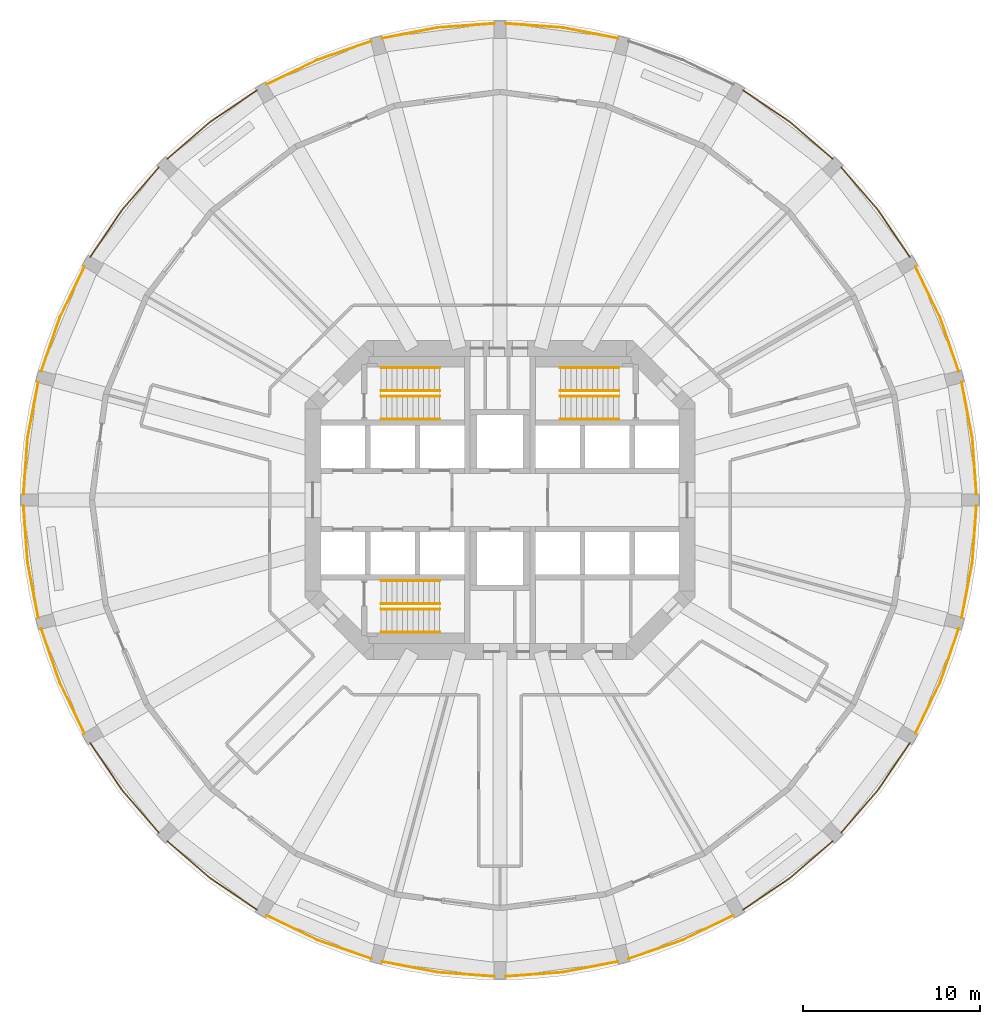
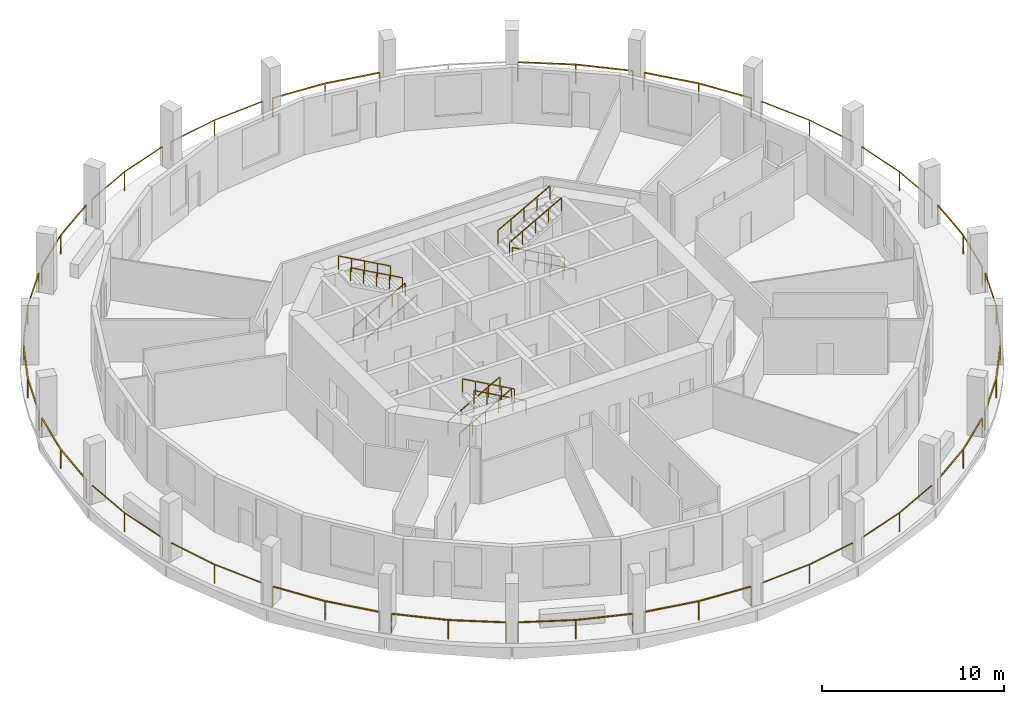
# One storey, part 8 of 9: 35 railings.
"""IFC4 building model written with IfcOpenShell, lengths in metres."""

from ifc_helpers import new_model, si_unit, direction, frame, origin, origin_2d, place, context, subcontext, project, spatial, rectangle, extrude, material, type_object, element, save


model = new_model("IFC4")

# Units and contexts
model_context = context("Model", 3, precision=1e-05, world=origin(), true_north=direction((0.0, 1.0)))
body_context = subcontext(model_context, "Body", "Model", "MODEL_VIEW")
ifc_project = project(units=[si_unit("LENGTHUNIT", "METRE"), si_unit("AREAUNIT", "SQUARE_METRE"), si_unit("VOLUMEUNIT", "CUBIC_METRE"), si_unit("PLANEANGLEUNIT", "RADIAN"), si_unit("MASSUNIT", "GRAM", prefix="KILO")], contexts=[model_context])

# Site, building, storey
site_placement = place(None, origin())
site = spatial("IfcSite", under=ifc_project, at=site_placement, CompositionType="ELEMENT")
building_placement = place(site_placement, origin())
building = spatial("IfcBuilding", under=site, at=building_placement, Name="Torre Triforio", CompositionType="ELEMENT")
storey_placement = place(building_placement, frame((0.0, 0.0, 39.0)))
storey = spatial("IfcBuildingStorey", under=building, at=storey_placement, Name="L07", CompositionType="ELEMENT", Elevation=39.0)

# Railings
ifc_material = material(Name="Stainless steel AISI 316", Category="steel")
railing_type_1 = type_object("IfcRailingType", Name="HANDRAIL 920", PredefinedType="HANDRAIL", material=ifc_material)
for number, where, name in (
    (1, (-6.699951171875, 4.550048828125, 0.166748046875), "Handrail ST1"),
    (2, (-6.699951171875, 5.85009765625, 0.166748046875), "Handrail ST1"),
):
    element("IfcRailing", number, at=place(storey_placement, frame(where)), inside=storey, type_object=railing_type_1, Name=name, PredefinedType="HANDRAIL", context=body_context, shape_type="SweptSolid", body=[
        extrude(rectangle(XDim=0.048095703125, YDim=0.048095703125, at=origin_2d()), frame((0.0, 0.0, 0.89599609375), z_axis=(0.874169478083, 0.0, 0.485620966999), x_axis=(0.0, 1.0, 0.0)), (0.0, 0.0, 1.0), 3.775146484375),
        extrude(rectangle(XDim=0.0419921875, YDim=0.0419921875, at=origin_2d()), origin(), (0.0, 0.0, 1.0), 0.871826171875),
        extrude(rectangle(XDim=0.0419921875, YDim=0.0419921875, at=origin_2d()), frame((0.824951171875, 0.0, 0.458251953125)), (0.0, 0.0, 1.0), 0.871826171875),
        extrude(rectangle(XDim=0.0419921875, YDim=0.0419921875, at=origin_2d()), frame((1.64990234375, 0.0, 0.91650390625)), (0.0, 0.0, 1.0), 0.871826171875),
        extrude(rectangle(XDim=0.0419921875, YDim=0.0419921875, at=origin_2d()), frame((2.47509765625, 0.0, 1.375)), (0.0, 0.0, 1.0), 0.871826171875),
        extrude(rectangle(XDim=0.0419921875, YDim=0.0419921875, at=origin_2d()), frame((3.300048828125, 0.0, 1.833251953125)), (0.0, 0.0, 1.0), 0.871826171875),
    ])
for number, where, name in (
    (3, (-3.39990234375, 7.449951171875, 2.166748046875), "Handrail ST1"),
    (4, (-3.39990234375, 6.14990234375, 2.166748046875), "Handrail ST1"),
    (5, (6.699951171875, 4.550048828125, 0.166748046875), "Handrail ST2"),
    (6, (6.699951171875, 5.85009765625, 0.166748046875), "Handrail ST2"),
):
    element("IfcRailing", number, at=place(storey_placement, frame(where)), inside=storey, type_object=railing_type_1, Name=name, PredefinedType="HANDRAIL", context=body_context, shape_type="SweptSolid", body=[
        extrude(rectangle(XDim=0.048095703125, YDim=0.048095703125, at=origin_2d()), frame((0.0, 0.0, 0.89599609375), z_axis=(-0.874169478083, 0.0, 0.485620966999), x_axis=(0.0, -1.0, 0.0)), (0.0, 0.0, 1.0), 3.775146484375),
        extrude(rectangle(XDim=0.0419921875, YDim=0.0419921875, at=origin_2d()), origin(), (0.0, 0.0, 1.0), 0.871826171875),
        extrude(rectangle(XDim=0.0419921875, YDim=0.0419921875, at=origin_2d()), frame((-0.824951171875, 0.0, 0.458251953125)), (0.0, 0.0, 1.0), 0.871826171875),
        extrude(rectangle(XDim=0.0419921875, YDim=0.0419921875, at=origin_2d()), frame((-1.64990234375, 0.0, 0.91650390625)), (0.0, 0.0, 1.0), 0.871826171875),
        extrude(rectangle(XDim=0.0419921875, YDim=0.0419921875, at=origin_2d()), frame((-2.47509765625, 0.0, 1.375)), (0.0, 0.0, 1.0), 0.871826171875),
        extrude(rectangle(XDim=0.0419921875, YDim=0.0419921875, at=origin_2d()), frame((-3.300048828125, 0.0, 1.833251953125)), (0.0, 0.0, 1.0), 0.871826171875),
    ])
for number, where, name in (
    (7, (3.39990234375, 7.449951171875, 2.166748046875), "Handrail ST2"),
    (8, (3.39990234375, 6.14990234375, 2.166748046875), "Handrail ST2"),
    (9, (-6.699951171875, -4.550048828125, 0.166748046875), "Handrail ST3"),
    (10, (-6.699951171875, -5.85009765625, 0.166748046875), "Handrail ST3"),
):
    element("IfcRailing", number, at=place(storey_placement, frame(where)), inside=storey, type_object=railing_type_1, Name=name, PredefinedType="HANDRAIL", context=body_context, shape_type="SweptSolid", body=[
        extrude(rectangle(XDim=0.048095703125, YDim=0.048095703125, at=origin_2d()), frame((0.0, 0.0, 0.89599609375), z_axis=(0.874169478083, 0.0, 0.485620966999), x_axis=(0.0, 1.0, 0.0)), (0.0, 0.0, 1.0), 3.775146484375),
        extrude(rectangle(XDim=0.0419921875, YDim=0.0419921875, at=origin_2d()), origin(), (0.0, 0.0, 1.0), 0.871826171875),
        extrude(rectangle(XDim=0.0419921875, YDim=0.0419921875, at=origin_2d()), frame((0.824951171875, 0.0, 0.458251953125)), (0.0, 0.0, 1.0), 0.871826171875),
        extrude(rectangle(XDim=0.0419921875, YDim=0.0419921875, at=origin_2d()), frame((1.64990234375, 0.0, 0.91650390625)), (0.0, 0.0, 1.0), 0.871826171875),
        extrude(rectangle(XDim=0.0419921875, YDim=0.0419921875, at=origin_2d()), frame((2.47509765625, 0.0, 1.375)), (0.0, 0.0, 1.0), 0.871826171875),
        extrude(rectangle(XDim=0.0419921875, YDim=0.0419921875, at=origin_2d()), frame((3.300048828125, 0.0, 1.833251953125)), (0.0, 0.0, 1.0), 0.871826171875),
    ])
for number, where, name in (
    (11, (-3.39990234375, -7.449951171875, 2.166748046875), "Handrail ST3"),
    (12, (-3.39990234375, -6.14990234375, 2.166748046875), "Handrail ST3"),
):
    element("IfcRailing", number, at=place(storey_placement, frame(where)), inside=storey, type_object=railing_type_1, Name=name, PredefinedType="HANDRAIL", context=body_context, shape_type="SweptSolid", body=[
        extrude(rectangle(XDim=0.048095703125, YDim=0.048095703125, at=origin_2d()), frame((0.0, 0.0, 0.89599609375), z_axis=(-0.874169478083, 0.0, 0.485620966999), x_axis=(0.0, -1.0, 0.0)), (0.0, 0.0, 1.0), 3.775146484375),
        extrude(rectangle(XDim=0.0419921875, YDim=0.0419921875, at=origin_2d()), origin(), (0.0, 0.0, 1.0), 0.871826171875),
        extrude(rectangle(XDim=0.0419921875, YDim=0.0419921875, at=origin_2d()), frame((-0.824951171875, 0.0, 0.458251953125)), (0.0, 0.0, 1.0), 0.871826171875),
        extrude(rectangle(XDim=0.0419921875, YDim=0.0419921875, at=origin_2d()), frame((-1.64990234375, 0.0, 0.91650390625)), (0.0, 0.0, 1.0), 0.871826171875),
        extrude(rectangle(XDim=0.0419921875, YDim=0.0419921875, at=origin_2d()), frame((-2.47509765625, 0.0, 1.375)), (0.0, 0.0, 1.0), 0.871826171875),
        extrude(rectangle(XDim=0.0419921875, YDim=0.0419921875, at=origin_2d()), frame((-3.300048828125, 0.0, 1.833251953125)), (0.0, 0.0, 1.0), 0.871826171875),
    ])
railing_type_2 = type_object("IfcRailingType", Name="Loggia guard 1300", PredefinedType="GUARDRAIL", material=ifc_material)
railing_1_placement = place(storey_placement, frame((26.85009765625, 0.320068359375, 0.0)))
element("IfcRailing", 13, at=railing_1_placement, inside=storey, type_object=railing_type_2, Name="Loggia guard L07 bay 01", PredefinedType="GUARDRAIL", context=body_context, shape_type="SweptSolid", body=[
    extrude(rectangle(XDim=0.050048828125, YDim=0.050048828125, at=origin_2d()), frame((0.0, 0.0, 1.27490234375), z_axis=(-0.071953458998, 0.997407990613, 0.0), x_axis=(-0.997407990613, -0.071953458998, 0.0)), (0.0, 0.0, 1.0), 3.19287109375),
    extrude(rectangle(XDim=0.050048828125, YDim=0.050048828125, at=origin_2d()), frame((-0.229736328125, 3.1845703125, 1.27490234375), z_axis=(-0.188714097365, 0.982032071501, 0.0), x_axis=(-0.982032071501, -0.188714097365, 0.0)), (0.0, 0.0, 1.0), 3.19287109375),
    extrude(rectangle(XDim=0.0400390625, YDim=0.0400390625, at=origin_2d()), origin(), (0.0, 0.0, 1.0), 1.25),
    extrude(rectangle(XDim=0.0400390625, YDim=0.0400390625, at=origin_2d()), frame((-0.229736328125, 3.1845703125, 0.0)), (0.0, 0.0, 1.0), 1.25),
    extrude(rectangle(XDim=0.0400390625, YDim=0.0400390625, at=origin_2d()), frame((-0.832275390625, 6.320068359375, 0.0)), (0.0, 0.0, 1.0), 1.25),
])
railing_2_placement = place(storey_placement, frame((25.852294921875, 7.25830078125, 0.0)))
element("IfcRailing", 14, at=railing_2_placement, inside=storey, type_object=railing_type_2, Name="Loggia guard L07 bay 02", PredefinedType="GUARDRAIL", context=body_context, shape_type="SweptSolid", body=[
    extrude(rectangle(XDim=0.050048828125, YDim=0.050048828125, at=origin_2d()), frame((0.0, 0.0, 1.27490234375), z_axis=(-0.327627852034, 0.94480685358, 0.0), x_axis=(-0.94480685358, -0.327627852034, 0.0)), (0.0, 0.0, 1.0), 3.193115234375),
    extrude(rectangle(XDim=0.050048828125, YDim=0.050048828125, at=origin_2d()), frame((-1.046142578125, 3.016845703125, 1.27490234375), z_axis=(-0.436384192305, 0.899760432952, 0.0), x_axis=(-0.899760432952, -0.436384192305, 0.0)), (0.0, 0.0, 1.0), 3.19287109375),
    extrude(rectangle(XDim=0.0400390625, YDim=0.0400390625, at=origin_2d()), origin(), (0.0, 0.0, 1.0), 1.25),
    extrude(rectangle(XDim=0.0400390625, YDim=0.0400390625, at=origin_2d()), frame((-1.046142578125, 3.016845703125, 0.0)), (0.0, 0.0, 1.0), 1.25),
    extrude(rectangle(XDim=0.0400390625, YDim=0.0400390625, at=origin_2d()), frame((-2.439453125, 5.8896484375, 0.0)), (0.0, 0.0, 1.0), 1.25),
])
railing_3_placement = place(storey_placement, frame((23.0927734375, 13.7021484375, 0.0)))
element("IfcRailing", 15, at=railing_3_placement, inside=storey, type_object=railing_type_2, Name="Loggia guard L07 bay 03", PredefinedType="GUARDRAIL", context=body_context, shape_type="SweptSolid", body=[
    extrude(rectangle(XDim=0.050048828125, YDim=0.050048828125, at=origin_2d()), frame((0.0, 0.0, 1.27490234375), z_axis=(-0.561018896338, 0.82780299465, 0.0), x_axis=(-0.82780299465, -0.561018896338, 0.0)), (0.0, 0.0, 1.0), 3.19287109375),
    extrude(rectangle(XDim=0.050048828125, YDim=0.050048828125, at=origin_2d()), frame((-1.791259765625, 2.64306640625, 1.27490234375), z_axis=(-0.654385993255, 0.756160678581, 0.0), x_axis=(-0.756160678581, -0.654385993255, 0.0)), (0.0, 0.0, 1.0), 3.19287109375),
    extrude(rectangle(XDim=0.0400390625, YDim=0.0400390625, at=origin_2d()), origin(), (0.0, 0.0, 1.0), 1.25),
    extrude(rectangle(XDim=0.0400390625, YDim=0.0400390625, at=origin_2d()), frame((-1.791259765625, 2.64306640625, 0.0)), (0.0, 0.0, 1.0), 1.25),
    extrude(rectangle(XDim=0.0400390625, YDim=0.0400390625, at=origin_2d()), frame((-3.880615234375, 5.057373046875, 0.0)), (0.0, 0.0, 1.0), 1.25),
])
railing_4_placement = place(storey_placement, frame((18.759521484375, 19.212158203125, 0.0)))
element("IfcRailing", 16, at=railing_4_placement, inside=storey, type_object=railing_type_2, Name="Loggia guard L07 bay 04", PredefinedType="GUARDRAIL", context=body_context, shape_type="SweptSolid", body=[
    extrude(rectangle(XDim=0.050048828125, YDim=0.050048828125, at=origin_2d()), frame((0.0, 0.0, 1.27490234375), z_axis=(-0.756160678581, 0.654385993255, 0.0), x_axis=(-0.654385993255, -0.756160678581, 0.0)), (0.0, 0.0, 1.0), 3.19287109375),
    extrude(rectangle(XDim=0.050048828125, YDim=0.050048828125, at=origin_2d()), frame((-2.414306640625, 2.08935546875, 1.27490234375), z_axis=(-0.82780299465, 0.561018896338, 0.0), x_axis=(-0.561018896338, -0.82780299465, 0.0)), (0.0, 0.0, 1.0), 3.19287109375),
    extrude(rectangle(XDim=0.0400390625, YDim=0.0400390625, at=origin_2d()), origin(), (0.0, 0.0, 1.0), 1.25),
    extrude(rectangle(XDim=0.0400390625, YDim=0.0400390625, at=origin_2d()), frame((-2.414306640625, 2.08935546875, 0.0)), (0.0, 0.0, 1.0), 1.25),
    extrude(rectangle(XDim=0.0400390625, YDim=0.0400390625, at=origin_2d()), frame((-5.057373046875, 3.880615234375, 0.0)), (0.0, 0.0, 1.0), 1.25),
])
railing_5_placement = place(storey_placement, frame((6.64013671875, 26.017822265625, 0.0)))
element("IfcRailing", 17, at=railing_5_placement, inside=storey, type_object=railing_type_2, Name="Loggia guard L07 bay 06", PredefinedType="GUARDRAIL", context=body_context, shape_type="SweptSolid", body=[
    extrude(rectangle(XDim=0.050048828125, YDim=0.050048828125, at=origin_2d()), frame((0.0, 0.0, 1.27490234375), z_axis=(-0.982032071501, 0.188714097365, 0.0), x_axis=(-0.188714097365, -0.982032071501, 0.0)), (0.0, 0.0, 1.0), 3.19287109375),
    extrude(rectangle(XDim=0.050048828125, YDim=0.050048828125, at=origin_2d()), frame((-3.135498046875, 0.6025390625, 1.27490234375), z_axis=(-0.997407990613, 0.071953458998, 0.0), x_axis=(-0.071953458998, -0.997407990613, 0.0)), (0.0, 0.0, 1.0), 3.19287109375),
    extrude(rectangle(XDim=0.0400390625, YDim=0.0400390625, at=origin_2d()), origin(), (0.0, 0.0, 1.0), 1.25),
    extrude(rectangle(XDim=0.0400390625, YDim=0.0400390625, at=origin_2d()), frame((-3.135498046875, 0.6025390625, 0.0)), (0.0, 0.0, 1.0), 1.25),
    extrude(rectangle(XDim=0.0400390625, YDim=0.0400390625, at=origin_2d()), frame((-6.320068359375, 0.832275390625, 0.0)), (0.0, 0.0, 1.0), 1.25),
])
railing_6_placement = place(storey_placement, frame((-0.320068359375, 26.85009765625, 0.0)))
element("IfcRailing", 18, at=railing_6_placement, inside=storey, type_object=railing_type_2, Name="Loggia guard L07 bay 07", PredefinedType="GUARDRAIL", context=body_context, shape_type="SweptSolid", body=[
    extrude(rectangle(XDim=0.050048828125, YDim=0.050048828125, at=origin_2d()), frame((0.0, 0.0, 1.27490234375), z_axis=(-0.997407990613, -0.071953458998, 0.0), x_axis=(0.071953458998, -0.997407990613, 0.0)), (0.0, 0.0, 1.0), 3.19287109375),
    extrude(rectangle(XDim=0.050048828125, YDim=0.050048828125, at=origin_2d()), frame((-3.1845703125, -0.229736328125, 1.27490234375), z_axis=(-0.982032071501, -0.188714097365, 0.0), x_axis=(0.188714097365, -0.982032071501, 0.0)), (0.0, 0.0, 1.0), 3.19287109375),
    extrude(rectangle(XDim=0.0400390625, YDim=0.0400390625, at=origin_2d()), origin(), (0.0, 0.0, 1.0), 1.25),
    extrude(rectangle(XDim=0.0400390625, YDim=0.0400390625, at=origin_2d()), frame((-3.1845703125, -0.229736328125, 0.0)), (0.0, 0.0, 1.0), 1.25),
    extrude(rectangle(XDim=0.0400390625, YDim=0.0400390625, at=origin_2d()), frame((-6.320068359375, -0.832275390625, 0.0)), (0.0, 0.0, 1.0), 1.25),
])
railing_7_placement = place(storey_placement, frame((-7.25830078125, 25.852294921875, 0.0)))
element("IfcRailing", 19, at=railing_7_placement, inside=storey, type_object=railing_type_2, Name="Loggia guard L07 bay 08", PredefinedType="GUARDRAIL", context=body_context, shape_type="SweptSolid", body=[
    extrude(rectangle(XDim=0.050048828125, YDim=0.050048828125, at=origin_2d()), frame((0.0, 0.0, 1.27490234375), z_axis=(-0.94480685358, -0.327627852034, 0.0), x_axis=(0.327627852034, -0.94480685358, 0.0)), (0.0, 0.0, 1.0), 3.193115234375),
    extrude(rectangle(XDim=0.050048828125, YDim=0.050048828125, at=origin_2d()), frame((-3.016845703125, -1.046142578125, 1.27490234375), z_axis=(-0.899760432952, -0.436384192305, 0.0), x_axis=(0.436384192305, -0.899760432952, 0.0)), (0.0, 0.0, 1.0), 3.19287109375),
    extrude(rectangle(XDim=0.0400390625, YDim=0.0400390625, at=origin_2d()), origin(), (0.0, 0.0, 1.0), 1.25),
    extrude(rectangle(XDim=0.0400390625, YDim=0.0400390625, at=origin_2d()), frame((-3.016845703125, -1.046142578125, 0.0)), (0.0, 0.0, 1.0), 1.25),
    extrude(rectangle(XDim=0.0400390625, YDim=0.0400390625, at=origin_2d()), frame((-5.8896484375, -2.439453125, 0.0)), (0.0, 0.0, 1.0), 1.25),
])
railing_8_placement = place(storey_placement, frame((-13.7021484375, 23.0927734375, 0.0)))
element("IfcRailing", 20, at=railing_8_placement, inside=storey, type_object=railing_type_2, Name="Loggia guard L07 bay 09", PredefinedType="GUARDRAIL", context=body_context, shape_type="SweptSolid", body=[
    extrude(rectangle(XDim=0.050048828125, YDim=0.050048828125, at=origin_2d()), frame((0.0, 0.0, 1.27490234375), z_axis=(-0.82780299465, -0.561018896338, 0.0), x_axis=(0.561018896338, -0.82780299465, 0.0)), (0.0, 0.0, 1.0), 3.19287109375),
    extrude(rectangle(XDim=0.050048828125, YDim=0.050048828125, at=origin_2d()), frame((-2.64306640625, -1.791259765625, 1.27490234375), z_axis=(-0.756160678581, -0.654385993255, 0.0), x_axis=(0.654385993255, -0.756160678581, 0.0)), (0.0, 0.0, 1.0), 3.19287109375),
    extrude(rectangle(XDim=0.0400390625, YDim=0.0400390625, at=origin_2d()), origin(), (0.0, 0.0, 1.0), 1.25),
    extrude(rectangle(XDim=0.0400390625, YDim=0.0400390625, at=origin_2d()), frame((-2.64306640625, -1.791259765625, 0.0)), (0.0, 0.0, 1.0), 1.25),
    extrude(rectangle(XDim=0.0400390625, YDim=0.0400390625, at=origin_2d()), frame((-5.057373046875, -3.880615234375, 0.0)), (0.0, 0.0, 1.0), 1.25),
])
railing_9_placement = place(storey_placement, frame((-19.212158203125, 18.759521484375, 0.0)))
element("IfcRailing", 21, at=railing_9_placement, inside=storey, type_object=railing_type_2, Name="Loggia guard L07 bay 10", PredefinedType="GUARDRAIL", context=body_context, shape_type="SweptSolid", body=[
    extrude(rectangle(XDim=0.050048828125, YDim=0.050048828125, at=origin_2d()), frame((0.0, 0.0, 1.27490234375), z_axis=(-0.654385993255, -0.756160678581, 0.0), x_axis=(0.756160678581, -0.654385993255, 0.0)), (0.0, 0.0, 1.0), 3.19287109375),
    extrude(rectangle(XDim=0.050048828125, YDim=0.050048828125, at=origin_2d()), frame((-2.08935546875, -2.414306640625, 1.27490234375), z_axis=(-0.561018896338, -0.82780299465, 0.0), x_axis=(0.82780299465, -0.561018896338, 0.0)), (0.0, 0.0, 1.0), 3.19287109375),
    extrude(rectangle(XDim=0.0400390625, YDim=0.0400390625, at=origin_2d()), origin(), (0.0, 0.0, 1.0), 1.25),
    extrude(rectangle(XDim=0.0400390625, YDim=0.0400390625, at=origin_2d()), frame((-2.08935546875, -2.414306640625, 0.0)), (0.0, 0.0, 1.0), 1.25),
    extrude(rectangle(XDim=0.0400390625, YDim=0.0400390625, at=origin_2d()), frame((-3.880615234375, -5.057373046875, 0.0)), (0.0, 0.0, 1.0), 1.25),
])
railing_10_placement = place(storey_placement, frame((-23.412841796875, 13.14794921875, 0.0)))
element("IfcRailing", 22, at=railing_10_placement, inside=storey, type_object=railing_type_2, Name="Loggia guard L07 bay 11", PredefinedType="GUARDRAIL", context=body_context, shape_type="SweptSolid", body=[
    extrude(rectangle(XDim=0.050048828125, YDim=0.050048828125, at=origin_2d()), frame((0.0, 0.0, 1.27490234375), z_axis=(-0.436384192305, -0.899760432952, 0.0), x_axis=(0.899760432952, -0.436384192305, 0.0)), (0.0, 0.0, 1.0), 3.19287109375),
    extrude(rectangle(XDim=0.050048828125, YDim=0.050048828125, at=origin_2d()), frame((-1.393310546875, -2.872802734375, 1.27490234375), z_axis=(-0.327627852034, -0.94480685358, 0.0), x_axis=(0.94480685358, -0.327627852034, 0.0)), (0.0, 0.0, 1.0), 3.193115234375),
    extrude(rectangle(XDim=0.0400390625, YDim=0.0400390625, at=origin_2d()), origin(), (0.0, 0.0, 1.0), 1.25),
    extrude(rectangle(XDim=0.0400390625, YDim=0.0400390625, at=origin_2d()), frame((-1.393310546875, -2.872802734375, 0.0)), (0.0, 0.0, 1.0), 1.25),
    extrude(rectangle(XDim=0.0400390625, YDim=0.0400390625, at=origin_2d()), frame((-2.439453125, -5.8896484375, 0.0)), (0.0, 0.0, 1.0), 1.25),
])
railing_11_placement = place(storey_placement, frame((-26.017822265625, 6.64013671875, 0.0)))
element("IfcRailing", 23, at=railing_11_placement, inside=storey, type_object=railing_type_2, Name="Loggia guard L07 bay 12", PredefinedType="GUARDRAIL", context=body_context, shape_type="SweptSolid", body=[
    extrude(rectangle(XDim=0.050048828125, YDim=0.050048828125, at=origin_2d()), frame((0.0, 0.0, 1.27490234375), z_axis=(-0.188714097365, -0.982032071501, 0.0), x_axis=(0.982032071501, -0.188714097365, 0.0)), (0.0, 0.0, 1.0), 3.19287109375),
    extrude(rectangle(XDim=0.050048828125, YDim=0.050048828125, at=origin_2d()), frame((-0.6025390625, -3.135498046875, 1.27490234375), z_axis=(-0.071953458998, -0.997407990613, 0.0), x_axis=(0.997407990613, -0.071953458998, 0.0)), (0.0, 0.0, 1.0), 3.19287109375),
    extrude(rectangle(XDim=0.0400390625, YDim=0.0400390625, at=origin_2d()), origin(), (0.0, 0.0, 1.0), 1.25),
    extrude(rectangle(XDim=0.0400390625, YDim=0.0400390625, at=origin_2d()), frame((-0.6025390625, -3.135498046875, 0.0)), (0.0, 0.0, 1.0), 1.25),
    extrude(rectangle(XDim=0.0400390625, YDim=0.0400390625, at=origin_2d()), frame((-0.832275390625, -6.320068359375, 0.0)), (0.0, 0.0, 1.0), 1.25),
])
railing_12_placement = place(storey_placement, frame((-26.85009765625, -0.320068359375, 0.0)))
element("IfcRailing", 24, at=railing_12_placement, inside=storey, type_object=railing_type_2, Name="Loggia guard L07 bay 13", PredefinedType="GUARDRAIL", context=body_context, shape_type="SweptSolid", body=[
    extrude(rectangle(XDim=0.050048828125, YDim=0.050048828125, at=origin_2d()), frame((0.0, 0.0, 1.27490234375), z_axis=(0.071953458998, -0.997407990613, 0.0), x_axis=(0.997407990613, 0.071953458998, 0.0)), (0.0, 0.0, 1.0), 3.19287109375),
    extrude(rectangle(XDim=0.050048828125, YDim=0.050048828125, at=origin_2d()), frame((0.229736328125, -3.1845703125, 1.27490234375), z_axis=(0.188714097365, -0.982032071501, 0.0), x_axis=(0.982032071501, 0.188714097365, 0.0)), (0.0, 0.0, 1.0), 3.19287109375),
    extrude(rectangle(XDim=0.0400390625, YDim=0.0400390625, at=origin_2d()), origin(), (0.0, 0.0, 1.0), 1.25),
    extrude(rectangle(XDim=0.0400390625, YDim=0.0400390625, at=origin_2d()), frame((0.229736328125, -3.1845703125, 0.0)), (0.0, 0.0, 1.0), 1.25),
    extrude(rectangle(XDim=0.0400390625, YDim=0.0400390625, at=origin_2d()), frame((0.832275390625, -6.320068359375, 0.0)), (0.0, 0.0, 1.0), 1.25),
])
railing_13_placement = place(storey_placement, frame((-25.852294921875, -7.25830078125, 0.0)))
element("IfcRailing", 25, at=railing_13_placement, inside=storey, type_object=railing_type_2, Name="Loggia guard L07 bay 14", PredefinedType="GUARDRAIL", context=body_context, shape_type="SweptSolid", body=[
    extrude(rectangle(XDim=0.050048828125, YDim=0.050048828125, at=origin_2d()), frame((0.0, 0.0, 1.27490234375), z_axis=(0.327627852034, -0.94480685358, 0.0), x_axis=(0.94480685358, 0.327627852034, 0.0)), (0.0, 0.0, 1.0), 3.193115234375),
    extrude(rectangle(XDim=0.050048828125, YDim=0.050048828125, at=origin_2d()), frame((1.046142578125, -3.016845703125, 1.27490234375), z_axis=(0.436384192305, -0.899760432952, 0.0), x_axis=(0.899760432952, 0.436384192305, 0.0)), (0.0, 0.0, 1.0), 3.19287109375),
    extrude(rectangle(XDim=0.0400390625, YDim=0.0400390625, at=origin_2d()), origin(), (0.0, 0.0, 1.0), 1.25),
    extrude(rectangle(XDim=0.0400390625, YDim=0.0400390625, at=origin_2d()), frame((1.046142578125, -3.016845703125, 0.0)), (0.0, 0.0, 1.0), 1.25),
    extrude(rectangle(XDim=0.0400390625, YDim=0.0400390625, at=origin_2d()), frame((2.439453125, -5.8896484375, 0.0)), (0.0, 0.0, 1.0), 1.25),
])
railing_14_placement = place(storey_placement, frame((-23.0927734375, -13.7021484375, 0.0)))
element("IfcRailing", 26, at=railing_14_placement, inside=storey, type_object=railing_type_2, Name="Loggia guard L07 bay 15", PredefinedType="GUARDRAIL", context=body_context, shape_type="SweptSolid", body=[
    extrude(rectangle(XDim=0.050048828125, YDim=0.050048828125, at=origin_2d()), frame((0.0, 0.0, 1.27490234375), z_axis=(0.561018896338, -0.82780299465, 0.0), x_axis=(0.82780299465, 0.561018896338, 0.0)), (0.0, 0.0, 1.0), 3.19287109375),
    extrude(rectangle(XDim=0.050048828125, YDim=0.050048828125, at=origin_2d()), frame((1.791259765625, -2.64306640625, 1.27490234375), z_axis=(0.654385993255, -0.756160678581, 0.0), x_axis=(0.756160678581, 0.654385993255, 0.0)), (0.0, 0.0, 1.0), 3.19287109375),
    extrude(rectangle(XDim=0.0400390625, YDim=0.0400390625, at=origin_2d()), origin(), (0.0, 0.0, 1.0), 1.25),
    extrude(rectangle(XDim=0.0400390625, YDim=0.0400390625, at=origin_2d()), frame((1.791259765625, -2.64306640625, 0.0)), (0.0, 0.0, 1.0), 1.25),
    extrude(rectangle(XDim=0.0400390625, YDim=0.0400390625, at=origin_2d()), frame((3.880615234375, -5.057373046875, 0.0)), (0.0, 0.0, 1.0), 1.25),
])
railing_15_placement = place(storey_placement, frame((-18.759521484375, -19.212158203125, 0.0)))
element("IfcRailing", 27, at=railing_15_placement, inside=storey, type_object=railing_type_2, Name="Loggia guard L07 bay 16", PredefinedType="GUARDRAIL", context=body_context, shape_type="SweptSolid", body=[
    extrude(rectangle(XDim=0.050048828125, YDim=0.050048828125, at=origin_2d()), frame((0.0, 0.0, 1.27490234375), z_axis=(0.756160678581, -0.654385993255, 0.0), x_axis=(0.654385993255, 0.756160678581, 0.0)), (0.0, 0.0, 1.0), 3.19287109375),
    extrude(rectangle(XDim=0.050048828125, YDim=0.050048828125, at=origin_2d()), frame((2.414306640625, -2.08935546875, 1.27490234375), z_axis=(0.82780299465, -0.561018896338, 0.0), x_axis=(0.561018896338, 0.82780299465, 0.0)), (0.0, 0.0, 1.0), 3.19287109375),
    extrude(rectangle(XDim=0.0400390625, YDim=0.0400390625, at=origin_2d()), origin(), (0.0, 0.0, 1.0), 1.25),
    extrude(rectangle(XDim=0.0400390625, YDim=0.0400390625, at=origin_2d()), frame((2.414306640625, -2.08935546875, 0.0)), (0.0, 0.0, 1.0), 1.25),
    extrude(rectangle(XDim=0.0400390625, YDim=0.0400390625, at=origin_2d()), frame((5.057373046875, -3.880615234375, 0.0)), (0.0, 0.0, 1.0), 1.25),
])
railing_16_placement = place(storey_placement, frame((-13.14794921875, -23.412841796875, 0.0)))
element("IfcRailing", 28, at=railing_16_placement, inside=storey, type_object=railing_type_2, Name="Loggia guard L07 bay 17", PredefinedType="GUARDRAIL", context=body_context, shape_type="SweptSolid", body=[
    extrude(rectangle(XDim=0.050048828125, YDim=0.050048828125, at=origin_2d()), frame((0.0, 0.0, 1.27490234375), z_axis=(0.899760432952, -0.436384192305, 0.0), x_axis=(0.436384192305, 0.899760432952, 0.0)), (0.0, 0.0, 1.0), 3.19287109375),
    extrude(rectangle(XDim=0.050048828125, YDim=0.050048828125, at=origin_2d()), frame((2.872802734375, -1.393310546875, 1.27490234375), z_axis=(0.94480685358, -0.327627852034, 0.0), x_axis=(0.327627852034, 0.94480685358, 0.0)), (0.0, 0.0, 1.0), 3.193115234375),
    extrude(rectangle(XDim=0.0400390625, YDim=0.0400390625, at=origin_2d()), origin(), (0.0, 0.0, 1.0), 1.25),
    extrude(rectangle(XDim=0.0400390625, YDim=0.0400390625, at=origin_2d()), frame((2.872802734375, -1.393310546875, 0.0)), (0.0, 0.0, 1.0), 1.25),
    extrude(rectangle(XDim=0.0400390625, YDim=0.0400390625, at=origin_2d()), frame((5.8896484375, -2.439453125, 0.0)), (0.0, 0.0, 1.0), 1.25),
])
railing_17_placement = place(storey_placement, frame((-6.64013671875, -26.017822265625, 0.0)))
element("IfcRailing", 29, at=railing_17_placement, inside=storey, type_object=railing_type_2, Name="Loggia guard L07 bay 18", PredefinedType="GUARDRAIL", context=body_context, shape_type="SweptSolid", body=[
    extrude(rectangle(XDim=0.050048828125, YDim=0.050048828125, at=origin_2d()), frame((0.0, 0.0, 1.27490234375), z_axis=(0.982032071501, -0.188714097365, 0.0), x_axis=(0.188714097365, 0.982032071501, 0.0)), (0.0, 0.0, 1.0), 3.19287109375),
    extrude(rectangle(XDim=0.050048828125, YDim=0.050048828125, at=origin_2d()), frame((3.135498046875, -0.6025390625, 1.27490234375), z_axis=(0.997407990613, -0.071953458998, 0.0), x_axis=(0.071953458998, 0.997407990613, 0.0)), (0.0, 0.0, 1.0), 3.19287109375),
    extrude(rectangle(XDim=0.0400390625, YDim=0.0400390625, at=origin_2d()), origin(), (0.0, 0.0, 1.0), 1.25),
    extrude(rectangle(XDim=0.0400390625, YDim=0.0400390625, at=origin_2d()), frame((3.135498046875, -0.6025390625, 0.0)), (0.0, 0.0, 1.0), 1.25),
    extrude(rectangle(XDim=0.0400390625, YDim=0.0400390625, at=origin_2d()), frame((6.320068359375, -0.832275390625, 0.0)), (0.0, 0.0, 1.0), 1.25),
])
railing_18_placement = place(storey_placement, frame((0.320068359375, -26.85009765625, 0.0)))
element("IfcRailing", 30, at=railing_18_placement, inside=storey, type_object=railing_type_2, Name="Loggia guard L07 bay 19", PredefinedType="GUARDRAIL", context=body_context, shape_type="SweptSolid", body=[
    extrude(rectangle(XDim=0.050048828125, YDim=0.050048828125, at=origin_2d()), frame((0.0, 0.0, 1.27490234375), z_axis=(0.997407990613, 0.071953458998, 0.0), x_axis=(-0.071953458998, 0.997407990613, 0.0)), (0.0, 0.0, 1.0), 3.19287109375),
    extrude(rectangle(XDim=0.050048828125, YDim=0.050048828125, at=origin_2d()), frame((3.1845703125, 0.229736328125, 1.27490234375), z_axis=(0.982032071501, 0.188714097365, 0.0), x_axis=(-0.188714097365, 0.982032071501, 0.0)), (0.0, 0.0, 1.0), 3.19287109375),
    extrude(rectangle(XDim=0.0400390625, YDim=0.0400390625, at=origin_2d()), origin(), (0.0, 0.0, 1.0), 1.25),
    extrude(rectangle(XDim=0.0400390625, YDim=0.0400390625, at=origin_2d()), frame((3.1845703125, 0.229736328125, 0.0)), (0.0, 0.0, 1.0), 1.25),
    extrude(rectangle(XDim=0.0400390625, YDim=0.0400390625, at=origin_2d()), frame((6.320068359375, 0.832275390625, 0.0)), (0.0, 0.0, 1.0), 1.25),
])
railing_19_placement = place(storey_placement, frame((7.25830078125, -25.852294921875, 0.0)))
element("IfcRailing", 31, at=railing_19_placement, inside=storey, type_object=railing_type_2, Name="Loggia guard L07 bay 20", PredefinedType="GUARDRAIL", context=body_context, shape_type="SweptSolid", body=[
    extrude(rectangle(XDim=0.050048828125, YDim=0.050048828125, at=origin_2d()), frame((0.0, 0.0, 1.27490234375), z_axis=(0.94480685358, 0.327627852034, 0.0), x_axis=(-0.327627852034, 0.94480685358, 0.0)), (0.0, 0.0, 1.0), 3.193115234375),
    extrude(rectangle(XDim=0.050048828125, YDim=0.050048828125, at=origin_2d()), frame((3.016845703125, 1.046142578125, 1.27490234375), z_axis=(0.899760432952, 0.436384192305, 0.0), x_axis=(-0.436384192305, 0.899760432952, 0.0)), (0.0, 0.0, 1.0), 3.19287109375),
    extrude(rectangle(XDim=0.0400390625, YDim=0.0400390625, at=origin_2d()), origin(), (0.0, 0.0, 1.0), 1.25),
    extrude(rectangle(XDim=0.0400390625, YDim=0.0400390625, at=origin_2d()), frame((3.016845703125, 1.046142578125, 0.0)), (0.0, 0.0, 1.0), 1.25),
    extrude(rectangle(XDim=0.0400390625, YDim=0.0400390625, at=origin_2d()), frame((5.8896484375, 2.439453125, 0.0)), (0.0, 0.0, 1.0), 1.25),
])
railing_20_placement = place(storey_placement, frame((13.7021484375, -23.0927734375, 0.0)))
element("IfcRailing", 32, at=railing_20_placement, inside=storey, type_object=railing_type_2, Name="Loggia guard L07 bay 21", PredefinedType="GUARDRAIL", context=body_context, shape_type="SweptSolid", body=[
    extrude(rectangle(XDim=0.050048828125, YDim=0.050048828125, at=origin_2d()), frame((0.0, 0.0, 1.27490234375), z_axis=(0.82780299465, 0.561018896338, 0.0), x_axis=(-0.561018896338, 0.82780299465, 0.0)), (0.0, 0.0, 1.0), 3.19287109375),
    extrude(rectangle(XDim=0.050048828125, YDim=0.050048828125, at=origin_2d()), frame((2.64306640625, 1.791259765625, 1.27490234375), z_axis=(0.756160678581, 0.654385993255, 0.0), x_axis=(-0.654385993255, 0.756160678581, 0.0)), (0.0, 0.0, 1.0), 3.19287109375),
    extrude(rectangle(XDim=0.0400390625, YDim=0.0400390625, at=origin_2d()), origin(), (0.0, 0.0, 1.0), 1.25),
    extrude(rectangle(XDim=0.0400390625, YDim=0.0400390625, at=origin_2d()), frame((2.64306640625, 1.791259765625, 0.0)), (0.0, 0.0, 1.0), 1.25),
    extrude(rectangle(XDim=0.0400390625, YDim=0.0400390625, at=origin_2d()), frame((5.057373046875, 3.880615234375, 0.0)), (0.0, 0.0, 1.0), 1.25),
])
railing_21_placement = place(storey_placement, frame((19.212158203125, -18.759521484375, 0.0)))
element("IfcRailing", 33, at=railing_21_placement, inside=storey, type_object=railing_type_2, Name="Loggia guard L07 bay 22", PredefinedType="GUARDRAIL", context=body_context, shape_type="SweptSolid", body=[
    extrude(rectangle(XDim=0.050048828125, YDim=0.050048828125, at=origin_2d()), frame((0.0, 0.0, 1.27490234375), z_axis=(0.654385993255, 0.756160678581, 0.0), x_axis=(-0.756160678581, 0.654385993255, 0.0)), (0.0, 0.0, 1.0), 3.19287109375),
    extrude(rectangle(XDim=0.050048828125, YDim=0.050048828125, at=origin_2d()), frame((2.08935546875, 2.414306640625, 1.27490234375), z_axis=(0.561018896338, 0.82780299465, 0.0), x_axis=(-0.82780299465, 0.561018896338, 0.0)), (0.0, 0.0, 1.0), 3.19287109375),
    extrude(rectangle(XDim=0.0400390625, YDim=0.0400390625, at=origin_2d()), origin(), (0.0, 0.0, 1.0), 1.25),
    extrude(rectangle(XDim=0.0400390625, YDim=0.0400390625, at=origin_2d()), frame((2.08935546875, 2.414306640625, 0.0)), (0.0, 0.0, 1.0), 1.25),
    extrude(rectangle(XDim=0.0400390625, YDim=0.0400390625, at=origin_2d()), frame((3.880615234375, 5.057373046875, 0.0)), (0.0, 0.0, 1.0), 1.25),
])
railing_22_placement = place(storey_placement, frame((23.412841796875, -13.14794921875, 0.0)))
element("IfcRailing", 34, at=railing_22_placement, inside=storey, type_object=railing_type_2, Name="Loggia guard L07 bay 23", PredefinedType="GUARDRAIL", context=body_context, shape_type="SweptSolid", body=[
    extrude(rectangle(XDim=0.050048828125, YDim=0.050048828125, at=origin_2d()), frame((0.0, 0.0, 1.27490234375), z_axis=(0.436384192305, 0.899760432952, 0.0), x_axis=(-0.899760432952, 0.436384192305, 0.0)), (0.0, 0.0, 1.0), 3.19287109375),
    extrude(rectangle(XDim=0.050048828125, YDim=0.050048828125, at=origin_2d()), frame((1.393310546875, 2.872802734375, 1.27490234375), z_axis=(0.327627852034, 0.94480685358, 0.0), x_axis=(-0.94480685358, 0.327627852034, 0.0)), (0.0, 0.0, 1.0), 3.193115234375),
    extrude(rectangle(XDim=0.0400390625, YDim=0.0400390625, at=origin_2d()), origin(), (0.0, 0.0, 1.0), 1.25),
    extrude(rectangle(XDim=0.0400390625, YDim=0.0400390625, at=origin_2d()), frame((1.393310546875, 2.872802734375, 0.0)), (0.0, 0.0, 1.0), 1.25),
    extrude(rectangle(XDim=0.0400390625, YDim=0.0400390625, at=origin_2d()), frame((2.439453125, 5.8896484375, 0.0)), (0.0, 0.0, 1.0), 1.25),
])
railing_23_placement = place(storey_placement, frame((26.017822265625, -6.64013671875, 0.0)))
element("IfcRailing", 35, at=railing_23_placement, inside=storey, type_object=railing_type_2, Name="Loggia guard L07 bay 24", PredefinedType="GUARDRAIL", context=body_context, shape_type="SweptSolid", body=[
    extrude(rectangle(XDim=0.050048828125, YDim=0.050048828125, at=origin_2d()), frame((0.0, 0.0, 1.27490234375), z_axis=(0.188714097365, 0.982032071501, 0.0), x_axis=(-0.982032071501, 0.188714097365, 0.0)), (0.0, 0.0, 1.0), 3.19287109375),
    extrude(rectangle(XDim=0.050048828125, YDim=0.050048828125, at=origin_2d()), frame((0.6025390625, 3.135498046875, 1.27490234375), z_axis=(0.071953458998, 0.997407990613, 0.0), x_axis=(-0.997407990613, 0.071953458998, 0.0)), (0.0, 0.0, 1.0), 3.19287109375),
    extrude(rectangle(XDim=0.0400390625, YDim=0.0400390625, at=origin_2d()), origin(), (0.0, 0.0, 1.0), 1.25),
    extrude(rectangle(XDim=0.0400390625, YDim=0.0400390625, at=origin_2d()), frame((0.6025390625, 3.135498046875, 0.0)), (0.0, 0.0, 1.0), 1.25),
    extrude(rectangle(XDim=0.0400390625, YDim=0.0400390625, at=origin_2d()), frame((0.832275390625, 6.320068359375, 0.0)), (0.0, 0.0, 1.0), 1.25),
])

save(model, "model.ifc")
